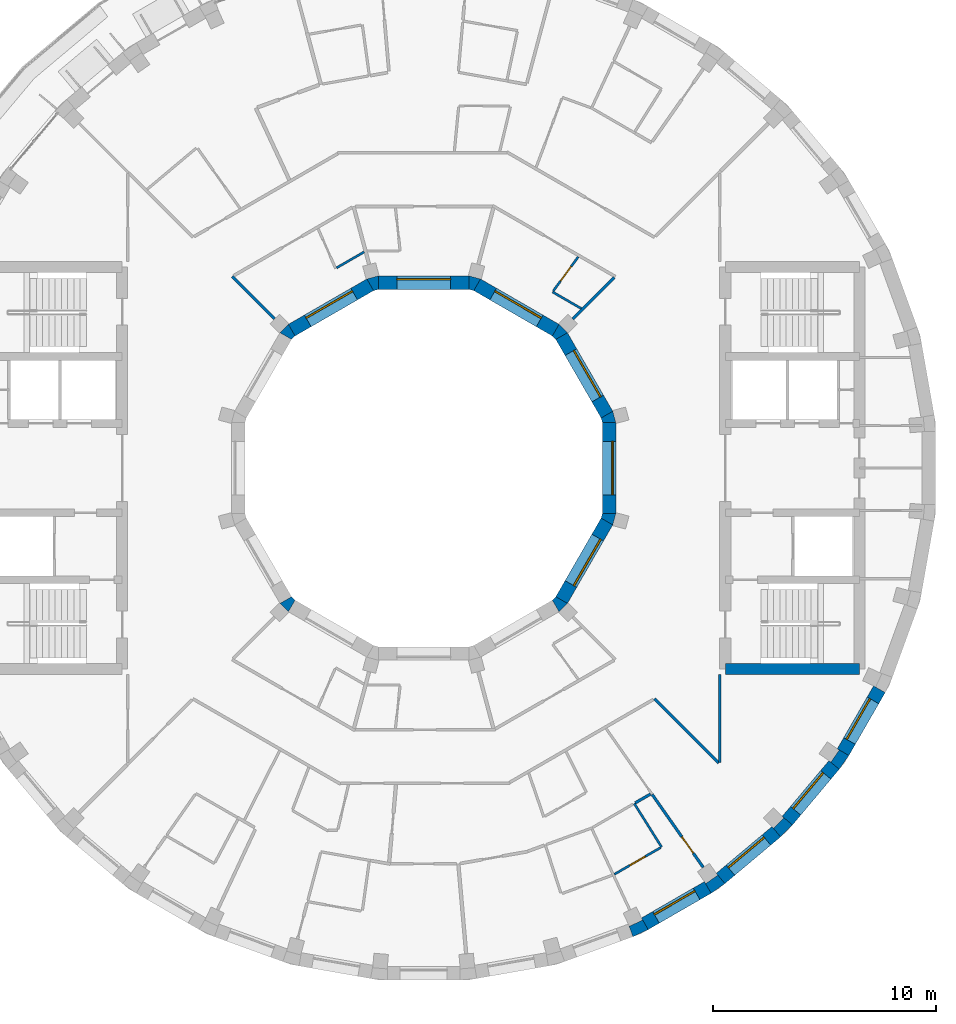
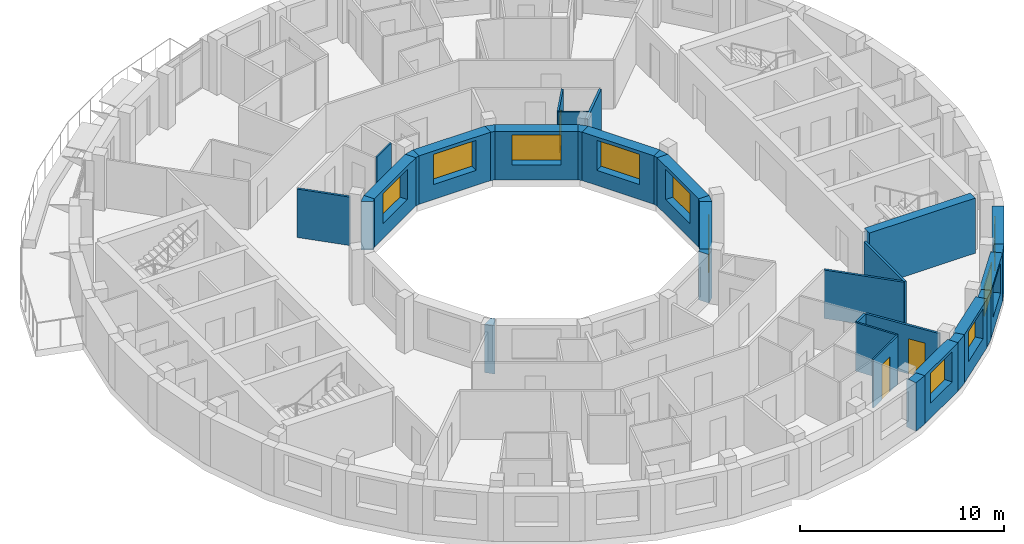
# One storey, part 7 of 12: 34 walls, 10 windows, 3 doors, 13 openings.
"""IFC4 building model written with IfcOpenShell, lengths in metres."""

from ifc_helpers import new_model, si_unit, direction, frame, frame_2d, origin, place, context, subcontext, project, spatial, polyline, rectangle, outline, extrude, material, layer, layer_set, type_object, element, fill, save


model = new_model("IFC4")

# Units and contexts
model_context = context("Model", 3, precision=1e-05, world=origin(), true_north=direction((0.0, 1.0)))
body_context = subcontext(model_context, "Body", "Model", "MODEL_VIEW")
ifc_project = project(units=[si_unit("LENGTHUNIT", "METRE"), si_unit("AREAUNIT", "SQUARE_METRE"), si_unit("VOLUMEUNIT", "CUBIC_METRE"), si_unit("PLANEANGLEUNIT", "RADIAN"), si_unit("MASSUNIT", "GRAM", prefix="KILO")], contexts=[model_context])

# Site, building, storey
site_placement = place(None, origin())
site = spatial("IfcSite", under=ifc_project, at=site_placement, CompositionType="ELEMENT")
building_placement = place(site_placement, origin())
building = spatial("IfcBuilding", under=site, at=building_placement, Name="Saqina Gate Tower", CompositionType="ELEMENT")
storey_placement = place(building_placement, frame((0.0, 0.0, 233.0)))
storey = spatial("IfcBuildingStorey", under=building, at=storey_placement, Name="L66", CompositionType="ELEMENT", Elevation=233.0)

# Walls
ifc_material_1 = material(Name="Brick masonry (buff)", Category="masonry")
wall_type_1 = type_object("IfcWallType", Name="BRICK PIER COPING BUFF", PredefinedType="SOLIDWALL", material=ifc_material_1)
wall_1_placement = place(storey_placement, origin())
element("IfcWall", 1, at=wall_1_placement, inside=storey, type_object=wall_type_1, Name="Pier cap L66 column 30", PredefinedType="SOLIDWALL", context=body_context, shape_type="SweptSolid", body=[
    extrude(outline(polyline([(9.3642578125, -20.974609375), (10.048095703125, -20.65576171875), (9.748291015625, -20.135986328125), (9.79296875, -20.23193359375), (9.203857421875, -20.506591796875), (9.1591796875, -20.410888671875), (9.3642578125, -20.974609375)])), origin(), (0.0, 0.0, 1.0), 2.89990234375),
])
wall_2_placement = place(storey_placement, origin())
element("IfcWall", 2, at=wall_2_placement, inside=storey, type_object=wall_type_1, Name="Pier cap L66 column 31", PredefinedType="SOLIDWALL", context=body_context, shape_type="SweptSolid", body=[
    extrude(outline(polyline([(12.8642578125, -19.02978515625), (13.482421875, -18.59716796875), (13.0966796875, -18.137451171875), (13.157470703125, -18.22412109375), (12.625, -18.596923828125), (12.564208984375, -18.51025390625), (12.8642578125, -19.02978515625)])), origin(), (0.0, 0.0, 1.0), 2.89990234375),
])
wall_3_placement = place(storey_placement, origin())
element("IfcWall", 3, at=wall_3_placement, inside=storey, type_object=wall_type_1, Name="Pier cap L66 column 32", PredefinedType="SOLIDWALL", context=body_context, shape_type="SweptSolid", body=[
    extrude(outline(polyline([(16.5068359375, -15.973388671875), (16.04736328125, -15.587646484375), (16.1220703125, -15.662353515625), (15.662353515625, -16.1220703125), (15.587646484375, -16.04736328125), (15.973388671875, -16.5068359375), (16.5068359375, -15.973388671875)])), origin(), (0.0, 0.0, 1.0), 2.89990234375),
])
wall_4_placement = place(storey_placement, origin())
element("IfcWall", 4, at=wall_4_placement, inside=storey, type_object=wall_type_1, Name="Pier cap L66 column 33", PredefinedType="SOLIDWALL", context=body_context, shape_type="SweptSolid", body=[
    extrude(outline(polyline([(19.02978515625, -12.8642578125), (18.51025390625, -12.564208984375), (18.596923828125, -12.625), (18.22412109375, -13.157470703125), (18.137451171875, -13.0966796875), (18.59716796875, -13.482421875), (19.02978515625, -12.8642578125)])), origin(), (0.0, 0.0, 1.0), 2.89990234375),
])

# Wall, opening, window
ifc_material_2 = material(Name="Brick masonry (buff)", Category="masonry")
ifc_layer_1 = layer(ifc_material_2, 0.60009765625)
ifc_layer_set_1 = layer_set([ifc_layer_1], Name="FW-BRICK-BUFF")
wall_type_2 = type_object("IfcWallType", Name="FW-BRICK-BUFF", PredefinedType="SOLIDWALL", material=ifc_layer_set_1)
wall_5_placement = place(storey_placement, frame((9.898193359375, -20.39599609375, 0.0), z_axis=(0.0, 0.0, 1.0), x_axis=(0.866016800201, 0.500014901547, 0.0)))
wall_5 = element("IfcWall", 5, at=wall_5_placement, inside=storey, type_object=wall_type_2, Name="Facade wall L66 facet 30", PredefinedType="SOLIDWALL", context=body_context, shape_type="SweptSolid", body=[
    extrude(rectangle(XDim=3.251953125, YDim=0.60009765625, at=frame_2d((1.6259765625, 0.0))), origin(), (0.0, 0.0, 1.0), 2.89990234375),
])
opening_1_placement = place(wall_5_placement, frame((0.57568359375, 0.0, 0.89990234375)))
opening_1 = element("IfcOpeningElement", 6, at=opening_1_placement, cuts=wall_5, Name="Opening G19-W19", PredefinedType="OPENING", context=body_context, shape_type="SweptSolid", body=[
    extrude(rectangle(XDim=2.10009765625, YDim=1.800048828125, at=frame_2d((1.050048828125, 0.89990234375))), frame((0.0, 0.31201171875, 0.0), z_axis=(0.0, -1.0, 0.0), x_axis=(1.0, 0.0, 0.0)), (0.0, 0.0, 1.0), 0.6240234375),
])
ifc_material_3 = material(Name="Aluminium glazing", Category="aluminium")
window_type_1 = type_object("IfcWindowType", Name="WN-D", PartitioningType="SINGLE_PANEL", PredefinedType="WINDOW", material=ifc_material_3)
window_1_placement = place(opening_1_placement, origin())
window_1 = element("IfcWindow", 7, at=window_1_placement, inside=storey, type_object=window_type_1, Name="Window L66 facet 30", OverallHeight=1.800048828125, OverallWidth=2.10009765625, PartitioningType="SINGLE_PANEL", PredefinedType="WINDOW", context=body_context, shape_type="SweptSolid", body=[
    extrude(rectangle(XDim=2.10009765625, YDim=1.800048828125, at=frame_2d((1.050048828125, 0.89990234375))), frame((0.0, 0.179931640625, 0.0), z_axis=(0.0, -1.0, 0.0), x_axis=(1.0, 0.0, 0.0)), (0.0, 0.0, 1.0), 0.06005859375),
])
fill(opening_1, window_1)

wall_6_placement = place(storey_placement, frame((13.28955078125, -18.3671875, 0.0), z_axis=(0.0, 0.0, 1.0), x_axis=(0.766056773982, 0.64277291405, 0.0)))
wall_6 = element("IfcWall", 8, at=wall_6_placement, inside=storey, type_object=wall_type_2, Name="Facade wall L66 facet 31", PredefinedType="SOLIDWALL", context=body_context, shape_type="SweptSolid", body=[
    extrude(rectangle(XDim=3.251708984375, YDim=0.60009765625, at=frame_2d((1.6259765625, 0.0))), origin(), (0.0, 0.0, 1.0), 2.89990234375),
])
opening_2_placement = place(wall_6_placement, frame((0.57568359375, 0.0, 0.89990234375)))
opening_2 = element("IfcOpeningElement", 9, at=opening_2_placement, cuts=wall_6, Name="Opening G19-W20", PredefinedType="OPENING", context=body_context, shape_type="SweptSolid", body=[
    extrude(rectangle(XDim=2.10009765625, YDim=1.800048828125, at=frame_2d((1.050048828125, 0.89990234375))), frame((0.0, 0.31201171875, 0.0), z_axis=(0.0, -1.0, 0.0), x_axis=(1.0, 0.0, 0.0)), (0.0, 0.0, 1.0), 0.6240234375),
])
window_2_placement = place(opening_2_placement, origin())
window_2 = element("IfcWindow", 10, at=window_2_placement, inside=storey, type_object=window_type_1, Name="Window L66 facet 31", OverallHeight=1.800048828125, OverallWidth=2.10009765625, PartitioningType="SINGLE_PANEL", PredefinedType="WINDOW", context=body_context, shape_type="SweptSolid", body=[
    extrude(rectangle(XDim=2.10009765625, YDim=1.800048828125, at=frame_2d((1.050048828125, 0.89990234375))), frame((0.0, 0.179931640625, 0.0), z_axis=(0.0, -1.0, 0.0), x_axis=(1.0, 0.0, 0.0)), (0.0, 0.0, 1.0), 0.06005859375),
])
fill(opening_2, window_2)

wall_7_placement = place(storey_placement, frame((16.277099609375, -15.780517578125, 0.0), z_axis=(0.0, 0.0, 1.0), x_axis=(0.64277291405, 0.766056773982, 0.0)))
wall_7 = element("IfcWall", 11, at=wall_7_placement, inside=storey, type_object=wall_type_2, Name="Facade wall L66 facet 32", PredefinedType="SOLIDWALL", context=body_context, shape_type="SweptSolid", body=[
    extrude(rectangle(XDim=3.251708984375, YDim=0.60009765625, at=frame_2d((1.6259765625, 0.0))), origin(), (0.0, 0.0, 1.0), 2.89990234375),
])
opening_3_placement = place(wall_7_placement, frame((0.57568359375, 0.0, 0.89990234375)))
opening_3 = element("IfcOpeningElement", 12, at=opening_3_placement, cuts=wall_7, Name="Opening G19-W21", PredefinedType="OPENING", context=body_context, shape_type="SweptSolid", body=[
    extrude(rectangle(XDim=2.10009765625, YDim=1.800048828125, at=frame_2d((1.050048828125, 0.89990234375))), frame((0.0, 0.31201171875, 0.0), z_axis=(0.0, -1.0, 0.0), x_axis=(1.0, 0.0, 0.0)), (0.0, 0.0, 1.0), 0.6240234375),
])
window_3_placement = place(opening_3_placement, origin())
window_3 = element("IfcWindow", 13, at=window_3_placement, inside=storey, type_object=window_type_1, Name="Window L66 facet 32", OverallHeight=1.800048828125, OverallWidth=2.10009765625, PartitioningType="SINGLE_PANEL", PredefinedType="WINDOW", context=body_context, shape_type="SweptSolid", body=[
    extrude(rectangle(XDim=2.10009765625, YDim=1.800048828125, at=frame_2d((1.050048828125, 0.89990234375))), frame((0.0, 0.179931640625, 0.0), z_axis=(0.0, -1.0, 0.0), x_axis=(1.0, 0.0, 0.0)), (0.0, 0.0, 1.0), 0.06005859375),
])
fill(opening_3, window_3)

wall_8_placement = place(storey_placement, frame((18.77001953125, -12.71435546875, 0.0), z_axis=(0.0, 0.0, 1.0), x_axis=(0.500014901547, 0.866016800201, 0.0)))
wall_8 = element("IfcWall", 14, at=wall_8_placement, inside=storey, type_object=wall_type_2, Name="Facade wall L66 facet 33", PredefinedType="SOLIDWALL", context=body_context, shape_type="SweptSolid", body=[
    extrude(rectangle(XDim=3.251953125, YDim=0.60009765625, at=frame_2d((1.6259765625, 0.0))), origin(), (0.0, 0.0, 1.0), 2.89990234375),
])
opening_4_placement = place(wall_8_placement, frame((0.57568359375, 0.0, 0.89990234375)))
opening_4 = element("IfcOpeningElement", 15, at=opening_4_placement, cuts=wall_8, Name="Opening G19-W22", PredefinedType="OPENING", context=body_context, shape_type="SweptSolid", body=[
    extrude(rectangle(XDim=2.10009765625, YDim=1.800048828125, at=frame_2d((1.050048828125, 0.89990234375))), frame((0.0, 0.31201171875, 0.0), z_axis=(0.0, -1.0, 0.0), x_axis=(1.0, 0.0, 0.0)), (0.0, 0.0, 1.0), 0.6240234375),
])
window_4_placement = place(opening_4_placement, origin())
window_4 = element("IfcWindow", 16, at=window_4_placement, inside=storey, type_object=window_type_1, Name="Window L66 facet 33", OverallHeight=1.800048828125, OverallWidth=2.10009765625, PartitioningType="SINGLE_PANEL", PredefinedType="WINDOW", context=body_context, shape_type="SweptSolid", body=[
    extrude(rectangle(XDim=2.10009765625, YDim=1.800048828125, at=frame_2d((1.050048828125, 0.89990234375))), frame((0.0, 0.179931640625, 0.0), z_axis=(0.0, -1.0, 0.0), x_axis=(1.0, 0.0, 0.0)), (0.0, 0.0, 1.0), 0.06005859375),
])
fill(opening_4, window_4)

ifc_material_4 = material(Name="Glazed ceramic tile", Category="ceramic")
ifc_layer_2 = layer(ifc_material_4, 0.60009765625)
ifc_layer_set_2 = layer_set([ifc_layer_2], Name="IW-TILE")
wall_type_3 = type_object("IfcWallType", Name="IW-TILE", PredefinedType="SOLIDWALL", material=ifc_layer_set_2)
wall_9_placement = place(storey_placement, frame((8.20263671875, 2.392578125, 0.0), z_axis=(0.0, 0.0, 1.0), x_axis=(-0.499994954979, 0.866028316509, 0.0)))
wall_9 = element("IfcWall", 17, at=wall_9_placement, inside=storey, type_object=wall_type_3, Name="Well wall L66 facet 1", PredefinedType="SOLIDWALL", context=body_context, shape_type="SweptSolid", body=[
    extrude(rectangle(XDim=4.05859375, YDim=0.60009765625, at=frame_2d((2.029296875, 0.0))), origin(), (0.0, 0.0, 1.0), 2.89990234375),
])
opening_5_placement = place(wall_9_placement, frame((0.829345703125, 0.0, 0.89990234375)))
opening_5 = element("IfcOpeningElement", 18, at=opening_5_placement, cuts=wall_9, Name="Opening G19-W23", PredefinedType="OPENING", context=body_context, shape_type="SweptSolid", body=[
    extrude(rectangle(XDim=2.39990234375, YDim=1.800048828125, at=frame_2d((1.199951171875, 0.89990234375))), frame((0.0, 0.31201171875, 0.0), z_axis=(0.0, -1.0, 0.0), x_axis=(1.0, 0.0, 0.0)), (0.0, 0.0, 1.0), 0.6240234375),
])
ifc_material_5 = material(Name="Aluminium glazing", Category="aluminium")
window_type_2 = type_object("IfcWindowType", Name="WN-W", PartitioningType="SINGLE_PANEL", PredefinedType="WINDOW", material=ifc_material_5)
window_5_placement = place(opening_5_placement, origin())
window_5 = element("IfcWindow", 19, at=window_5_placement, inside=storey, type_object=window_type_2, Name="Well window L66 facet 1", OverallHeight=1.800048828125, OverallWidth=2.39990234375, PartitioningType="SINGLE_PANEL", PredefinedType="WINDOW", context=body_context, shape_type="SweptSolid", body=[
    extrude(rectangle(XDim=2.39990234375, YDim=1.800048828125, at=frame_2d((1.199951171875, 0.89990234375))), frame((0.0, -0.119873046875, 0.0), z_axis=(0.0, -1.0, 0.0), x_axis=(1.0, 0.0, 0.0)), (0.0, 0.0, 1.0), 0.06005859375),
])
fill(opening_5, window_5)

wall_10_placement = place(storey_placement, frame((5.907470703125, 6.17333984375, 0.0), z_axis=(0.0, 0.0, 1.0), x_axis=(-0.866028316509, 0.499994954979, 0.0)))
wall_10 = element("IfcWall", 20, at=wall_10_placement, inside=storey, type_object=wall_type_3, Name="Well wall L66 facet 2", PredefinedType="SOLIDWALL", context=body_context, shape_type="SweptSolid", body=[
    extrude(rectangle(XDim=4.05859375, YDim=0.60009765625, at=frame_2d((2.029296875, 0.0))), origin(), (0.0, 0.0, 1.0), 2.89990234375),
])
opening_6_placement = place(wall_10_placement, frame((0.829345703125, 0.0, 0.89990234375)))
opening_6 = element("IfcOpeningElement", 21, at=opening_6_placement, cuts=wall_10, Name="Opening G19-W24", PredefinedType="OPENING", context=body_context, shape_type="SweptSolid", body=[
    extrude(rectangle(XDim=2.39990234375, YDim=1.800048828125, at=frame_2d((1.199951171875, 0.89990234375))), frame((0.0, 0.31201171875, 0.0), z_axis=(0.0, -1.0, 0.0), x_axis=(1.0, 0.0, 0.0)), (0.0, 0.0, 1.0), 0.6240234375),
])
window_6_placement = place(opening_6_placement, origin())
window_6 = element("IfcWindow", 22, at=window_6_placement, inside=storey, type_object=window_type_2, Name="Well window L66 facet 2", OverallHeight=1.800048828125, OverallWidth=2.39990234375, PartitioningType="SINGLE_PANEL", PredefinedType="WINDOW", context=body_context, shape_type="SweptSolid", body=[
    extrude(rectangle(XDim=2.39990234375, YDim=1.800048828125, at=frame_2d((1.199951171875, 0.89990234375))), frame((0.0, -0.119873046875, 0.0), z_axis=(0.0, -1.0, 0.0), x_axis=(1.0, 0.0, 0.0)), (0.0, 0.0, 1.0), 0.06005859375),
])
fill(opening_6, window_6)

wall_11_placement = place(storey_placement, frame((2.029296875, 8.300048828125, 0.0), z_axis=(0.0, 0.0, 1.0), x_axis=(-1.0, 0.0, 0.0)))
wall_11 = element("IfcWall", 23, at=wall_11_placement, inside=storey, type_object=wall_type_3, Name="Well wall L66 facet 3", PredefinedType="SOLIDWALL", context=body_context, shape_type="SweptSolid", body=[
    extrude(rectangle(XDim=4.05859375, YDim=0.60009765625, at=frame_2d((2.029296875, 0.0))), origin(), (0.0, 0.0, 1.0), 2.89990234375),
])
opening_7_placement = place(wall_11_placement, frame((0.829345703125, 0.0, 0.89990234375)))
opening_7 = element("IfcOpeningElement", 24, at=opening_7_placement, cuts=wall_11, Name="Opening G19-W25", PredefinedType="OPENING", context=body_context, shape_type="SweptSolid", body=[
    extrude(rectangle(XDim=2.39990234375, YDim=1.800048828125, at=frame_2d((1.199951171875, 0.89990234375))), frame((0.0, 0.31201171875, 0.0), z_axis=(0.0, -1.0, 0.0), x_axis=(1.0, 0.0, 0.0)), (0.0, 0.0, 1.0), 0.6240234375),
])
window_7_placement = place(opening_7_placement, origin())
window_7 = element("IfcWindow", 25, at=window_7_placement, inside=storey, type_object=window_type_2, Name="Well window L66 facet 3", OverallHeight=1.800048828125, OverallWidth=2.39990234375, PartitioningType="SINGLE_PANEL", PredefinedType="WINDOW", context=body_context, shape_type="SweptSolid", body=[
    extrude(rectangle(XDim=2.39990234375, YDim=1.800048828125, at=frame_2d((1.199951171875, 0.89990234375))), frame((0.0, -0.119873046875, 0.0), z_axis=(0.0, -1.0, 0.0), x_axis=(1.0, 0.0, 0.0)), (0.0, 0.0, 1.0), 0.06005859375),
])
fill(opening_7, window_7)

wall_12_placement = place(storey_placement, frame((-2.392578125, 8.20263671875, 0.0), z_axis=(0.0, 0.0, 1.0), x_axis=(-0.866028316509, -0.499994954979, 0.0)))
wall_12 = element("IfcWall", 26, at=wall_12_placement, inside=storey, type_object=wall_type_3, Name="Well wall L66 facet 4", PredefinedType="SOLIDWALL", context=body_context, shape_type="SweptSolid", body=[
    extrude(rectangle(XDim=4.05859375, YDim=0.60009765625, at=frame_2d((2.029296875, 0.0))), origin(), (0.0, 0.0, 1.0), 2.89990234375),
])
opening_8_placement = place(wall_12_placement, frame((0.829345703125, 0.0, 0.89990234375)))
opening_8 = element("IfcOpeningElement", 27, at=opening_8_placement, cuts=wall_12, Name="Opening G19-W26", PredefinedType="OPENING", context=body_context, shape_type="SweptSolid", body=[
    extrude(rectangle(XDim=2.39990234375, YDim=1.800048828125, at=frame_2d((1.199951171875, 0.89990234375))), frame((0.0, 0.31201171875, 0.0), z_axis=(0.0, -1.0, 0.0), x_axis=(1.0, 0.0, 0.0)), (0.0, 0.0, 1.0), 0.6240234375),
])
window_8_placement = place(opening_8_placement, origin())
window_8 = element("IfcWindow", 28, at=window_8_placement, inside=storey, type_object=window_type_2, Name="Well window L66 facet 4", OverallHeight=1.800048828125, OverallWidth=2.39990234375, PartitioningType="SINGLE_PANEL", PredefinedType="WINDOW", context=body_context, shape_type="SweptSolid", body=[
    extrude(rectangle(XDim=2.39990234375, YDim=1.800048828125, at=frame_2d((1.199951171875, 0.89990234375))), frame((0.0, -0.119873046875, 0.0), z_axis=(0.0, -1.0, 0.0), x_axis=(1.0, 0.0, 0.0)), (0.0, 0.0, 1.0), 0.06005859375),
])
fill(opening_8, window_8)

wall_13_placement = place(storey_placement, frame((6.17333984375, -5.907470703125, 0.0), z_axis=(0.0, 0.0, 1.0), x_axis=(0.499994954979, 0.866028316509, 0.0)))
wall_13 = element("IfcWall", 29, at=wall_13_placement, inside=storey, type_object=wall_type_3, Name="Well wall L66 facet 11", PredefinedType="SOLIDWALL", context=body_context, shape_type="SweptSolid", body=[
    extrude(rectangle(XDim=4.05859375, YDim=0.60009765625, at=frame_2d((2.029296875, 0.0))), origin(), (0.0, 0.0, 1.0), 2.89990234375),
])
opening_9_placement = place(wall_13_placement, frame((0.829345703125, 0.0, 0.89990234375)))
opening_9 = element("IfcOpeningElement", 30, at=opening_9_placement, cuts=wall_13, Name="Opening G19-W33", PredefinedType="OPENING", context=body_context, shape_type="SweptSolid", body=[
    extrude(rectangle(XDim=2.39990234375, YDim=1.800048828125, at=frame_2d((1.199951171875, 0.89990234375))), frame((0.0, 0.31201171875, 0.0), z_axis=(0.0, -1.0, 0.0), x_axis=(1.0, 0.0, 0.0)), (0.0, 0.0, 1.0), 0.6240234375),
])
window_9_placement = place(opening_9_placement, origin())
window_9 = element("IfcWindow", 31, at=window_9_placement, inside=storey, type_object=window_type_2, Name="Well window L66 facet 11", OverallHeight=1.800048828125, OverallWidth=2.39990234375, PartitioningType="SINGLE_PANEL", PredefinedType="WINDOW", context=body_context, shape_type="SweptSolid", body=[
    extrude(rectangle(XDim=2.39990234375, YDim=1.800048828125, at=frame_2d((1.199951171875, 0.89990234375))), frame((0.0, -0.119873046875, 0.0), z_axis=(0.0, -1.0, 0.0), x_axis=(1.0, 0.0, 0.0)), (0.0, 0.0, 1.0), 0.06005859375),
])
fill(opening_9, window_9)

wall_14_placement = place(storey_placement, frame((8.300048828125, -2.029296875, 0.0), z_axis=(0.0, 0.0, 1.0), x_axis=(0.0, 1.0, 0.0)))
wall_14 = element("IfcWall", 32, at=wall_14_placement, inside=storey, type_object=wall_type_3, Name="Well wall L66 facet 12", PredefinedType="SOLIDWALL", context=body_context, shape_type="SweptSolid", body=[
    extrude(rectangle(XDim=4.05859375, YDim=0.60009765625, at=frame_2d((2.029296875, 0.0))), origin(), (0.0, 0.0, 1.0), 2.89990234375),
])
opening_10_placement = place(wall_14_placement, frame((0.829345703125, 0.0, 0.89990234375)))
opening_10 = element("IfcOpeningElement", 33, at=opening_10_placement, cuts=wall_14, Name="Opening G19-W34", PredefinedType="OPENING", context=body_context, shape_type="SweptSolid", body=[
    extrude(rectangle(XDim=2.39990234375, YDim=1.800048828125, at=frame_2d((1.199951171875, 0.89990234375))), frame((0.0, 0.31201171875, 0.0), z_axis=(0.0, -1.0, 0.0), x_axis=(1.0, 0.0, 0.0)), (0.0, 0.0, 1.0), 0.6240234375),
])
window_10_placement = place(opening_10_placement, origin())
window_10 = element("IfcWindow", 34, at=window_10_placement, inside=storey, type_object=window_type_2, Name="Well window L66 facet 12", OverallHeight=1.800048828125, OverallWidth=2.39990234375, PartitioningType="SINGLE_PANEL", PredefinedType="WINDOW", context=body_context, shape_type="SweptSolid", body=[
    extrude(rectangle(XDim=2.39990234375, YDim=1.800048828125, at=frame_2d((1.199951171875, 0.89990234375))), frame((0.0, -0.119873046875, 0.0), z_axis=(0.0, -1.0, 0.0), x_axis=(1.0, 0.0, 0.0)), (0.0, 0.0, 1.0), 0.06005859375),
])
fill(opening_10, window_10)

# Walls
ifc_material_6 = material(Name="Gypsum board on steel studs, 100 mm", Category="steel")
ifc_layer_3 = layer(ifc_material_6, 0.10009765625)
ifc_layer_set_3 = layer_set([ifc_layer_3], Name="PARTITION 100")
wall_type_4 = type_object("IfcWallType", Name="PARTITION 100", PredefinedType="PARTITIONING", material=ifc_layer_set_3)
wall_15_placement = place(storey_placement, frame((9.423095703125, -15.011962890625, 0.0), z_axis=(0.0, 0.0, 1.0), x_axis=(0.531608930636, -0.846989931975, 0.0)))
element("IfcWall", 35, at=wall_15_placement, inside=storey, type_object=wall_type_4, Name="PARTITION PW3-08", PredefinedType="PARTITIONING", context=body_context, shape_type="SweptSolid", body=[
    extrude(rectangle(XDim=2.30224609375, YDim=0.10009765625, at=frame_2d((1.151123046875, 0.0))), origin(), (0.0, 0.0, 1.0), 2.89990234375),
])
wall_16_placement = place(storey_placement, frame((5.76708984375, 7.882080078125, 0.0), z_axis=(0.0, 0.0, 1.0), x_axis=(0.866040576453, -0.499973719246, 0.0)))
element("IfcWall", 36, at=wall_16_placement, inside=storey, type_object=wall_type_4, Name="PARTITION PW3-17", PredefinedType="PARTITIONING", context=body_context, shape_type="SweptSolid", body=[
    extrude(rectangle(XDim=1.48583984375, YDim=0.10009765625, at=frame_2d((0.742919921875, 0.0))), origin(), (0.0, 0.0, 1.0), 2.89990234375),
])

# Wall, opening, door
wall_17_placement = place(storey_placement, frame((8.533203125, -18.181884765625, 0.0), z_axis=(0.0, 0.0, 1.0), x_axis=(0.866136275394, 0.49980791555, 0.0)))
wall_17 = element("IfcWall", 37, at=wall_17_placement, inside=storey, type_object=wall_type_4, Name="PARTITION PW3-33", PredefinedType="PARTITIONING", context=body_context, shape_type="SweptSolid", body=[
    extrude(rectangle(XDim=2.390625, YDim=0.10009765625, at=frame_2d((1.1953125, 0.0))), origin(), (0.0, 0.0, 1.0), 2.89990234375),
])
opening_11_placement = place(wall_17_placement, frame((0.79541015625, 0.0, 0.0)))
opening_11 = element("IfcOpeningElement", 38, at=opening_11_placement, cuts=wall_17, Name="Opening G19-D40", PredefinedType="OPENING", context=body_context, shape_type="SweptSolid", body=[
    extrude(rectangle(XDim=0.800048828125, YDim=2.10009765625, at=frame_2d((0.39990234375, 1.050048828125))), frame((0.0, 0.06201171875, 0.0), z_axis=(0.0, -1.0, 0.0), x_axis=(1.0, 0.0, 0.0)), (0.0, 0.0, 1.0), 0.1240234375),
])
ifc_material_7 = material(Name="Timber door leaf, 800 mm", Category="wood")
door_type_1 = type_object("IfcDoorType", Name="DOOR 800 TIMBER", OperationType="SINGLE_SWING_LEFT", PredefinedType="DOOR", material=ifc_material_7)
door_1_placement = place(opening_11_placement, frame((0.800048828125, 0.0, 0.0), z_axis=(0.0, 0.0, 1.0), x_axis=(-1.0, 0.0, 0.0)))
door_1 = element("IfcDoor", 39, at=door_1_placement, inside=storey, type_object=door_type_1, Name="DOOR G19-D40", OperationType="SINGLE_SWING_LEFT", OverallHeight=2.10009765625, OverallWidth=0.800048828125, PredefinedType="DOOR", context=body_context, shape_type="SweptSolid", body=[
    extrude(rectangle(XDim=0.800048828125, YDim=2.10009765625, at=frame_2d((0.39990234375, 1.050048828125))), frame((0.0, 0.02490234375, 0.0), z_axis=(0.0, -1.0, 0.0), x_axis=(1.0, 0.0, 0.0)), (0.0, 0.0, 1.0), 0.050048828125),
])
fill(opening_11, door_1)

# Wall
wall_18_placement = place(storey_placement, frame((-3.899658203125, 8.9609375, 0.0), z_axis=(0.0, 0.0, 1.0), x_axis=(0.866028486751, 0.499994660107, 0.0)))
element("IfcWall", 40, at=wall_18_placement, inside=storey, type_object=wall_type_4, Name="PARTITION PW3-37", PredefinedType="PARTITIONING", context=body_context, shape_type="SweptSolid", body=[
    extrude(rectangle(XDim=1.42333984375, YDim=0.10009765625, at=frame_2d((0.711669921875, 0.0))), origin(), (0.0, 0.0, 1.0), 2.89990234375),
])

# Wall, opening, door
wall_19_placement = place(storey_placement, frame((5.796630859375, 7.92236328125, 0.0), z_axis=(0.0, 0.0, 1.0), x_axis=(0.59039359818, 0.807115480726, 0.0)))
wall_19 = element("IfcWall", 41, at=wall_19_placement, inside=storey, type_object=wall_type_4, Name="PARTITION PW3-39", PredefinedType="PARTITIONING", context=body_context, shape_type="SweptSolid", body=[
    extrude(rectangle(XDim=1.8994140625, YDim=0.10009765625, at=frame_2d((0.94970703125, 0.0))), origin(), (0.0, 0.0, 1.0), 2.89990234375),
])
opening_12_placement = place(wall_19_placement, frame((0.55615234375, 0.0, 0.0)))
opening_12 = element("IfcOpeningElement", 42, at=opening_12_placement, cuts=wall_19, Name="Opening G19-D02", PredefinedType="OPENING", context=body_context, shape_type="SweptSolid", body=[
    extrude(rectangle(XDim=0.800048828125, YDim=2.10009765625, at=frame_2d((0.39990234375, 1.050048828125))), frame((0.0, 0.06201171875, 0.0), z_axis=(0.0, -1.0, 0.0), x_axis=(1.0, 0.0, 0.0)), (0.0, 0.0, 1.0), 0.1240234375),
])
door_2_placement = place(opening_12_placement, origin())
door_2 = element("IfcDoor", 43, at=door_2_placement, inside=storey, type_object=door_type_1, Name="DOOR G19-D02", OperationType="SINGLE_SWING_RIGHT", OverallHeight=2.10009765625, OverallWidth=0.800048828125, PredefinedType="DOOR", context=body_context, shape_type="SweptSolid", body=[
    extrude(rectangle(XDim=0.800048828125, YDim=2.10009765625, at=frame_2d((0.39990234375, 1.050048828125))), frame((0.0, 0.02490234375, 0.0), z_axis=(0.0, -1.0, 0.0), x_axis=(1.0, 0.0, 0.0)), (0.0, 0.0, 1.0), 0.050048828125),
])
fill(opening_12, door_2)

ifc_material_8 = material(Name="Gypsum board on steel studs, 125 mm, fire rated", Category="steel")
ifc_layer_4 = layer(ifc_material_8, 0.125)
ifc_layer_set_4 = layer_set([ifc_layer_4], Name="PARTITION EI 30 125")
wall_type_5 = type_object("IfcWallType", Name="PARTITION EI 30 125", PredefinedType="PARTITIONING", material=ifc_layer_set_4)
wall_20_placement = place(storey_placement, frame((10.224853515625, -14.607177734375, 0.0), z_axis=(0.0, 0.0, 1.0), x_axis=(0.573696694948, -0.819067825156, 0.0)))
wall_20 = element("IfcWall", 44, at=wall_20_placement, inside=storey, type_object=wall_type_5, Name="PARTITION PW1-03", PredefinedType="PARTITIONING", context=body_context, shape_type="SweptSolid", body=[
    extrude(rectangle(XDim=3.98486328125, YDim=0.125, at=frame_2d((1.992431640625, 0.0))), origin(), (0.0, 0.0, 1.0), 2.89990234375),
])
opening_13_placement = place(wall_20_placement, frame((2.308837890625, 0.0, 0.0)))
opening_13 = element("IfcOpeningElement", 45, at=opening_13_placement, cuts=wall_20, Name="Opening G19-D43", PredefinedType="OPENING", context=body_context, shape_type="SweptSolid", body=[
    extrude(rectangle(XDim=0.89990234375, YDim=2.10009765625, at=frame_2d((0.449951171875, 1.050048828125))), frame((0.0, 0.074462890625, 0.0), z_axis=(0.0, -1.0, 0.0), x_axis=(1.0, 0.0, 0.0)), (0.0, 0.0, 1.0), 0.14892578125),
])
ifc_material_9 = material(Name="Fire door leaf EI 30, 900 mm")
door_type_2 = type_object("IfcDoorType", Name="DOOR 900 EI 30", OperationType="SINGLE_SWING_LEFT", PredefinedType="DOOR", material=ifc_material_9)
door_3_placement = place(opening_13_placement, origin())
door_3 = element("IfcDoor", 46, at=door_3_placement, inside=storey, type_object=door_type_2, Name="DOOR G19-D43", OperationType="SINGLE_SWING_RIGHT", OverallHeight=2.10009765625, OverallWidth=0.89990234375, PredefinedType="DOOR", context=body_context, shape_type="SweptSolid", body=[
    extrude(rectangle(XDim=0.89990234375, YDim=2.10009765625, at=frame_2d((0.449951171875, 1.050048828125))), frame((0.0, 0.02490234375, 0.0), z_axis=(0.0, -1.0, 0.0), x_axis=(1.0, 0.0, 0.0)), (0.0, 0.0, 1.0), 0.050048828125),
])
fill(opening_13, door_3)

# Walls
wall_21_placement = place(storey_placement, frame((-8.572021484375, 8.572021484375, 0.0), z_axis=(0.0, 0.0, 1.0), x_axis=(0.707106781187, -0.707106781187, 0.0)))
element("IfcWall", 47, at=wall_21_placement, inside=storey, type_object=wall_type_5, Name="PARTITION PW1-05", PredefinedType="PARTITIONING", context=body_context, shape_type="SweptSolid", body=[
    extrude(rectangle(XDim=2.680419921875, YDim=0.125, at=frame_2d((1.34033203125, 0.0))), origin(), (0.0, 0.0, 1.0), 2.89990234375),
])
wall_22_placement = place(storey_placement, frame((10.330078125, -10.327880859375, 0.0), z_axis=(0.0, 0.0, 1.0), x_axis=(0.707076776443, -0.707136784657, 0.0)))
element("IfcWall", 48, at=wall_22_placement, inside=storey, type_object=wall_type_5, Name="PARTITION PW1-07", PredefinedType="PARTITIONING", context=body_context, shape_type="SweptSolid", body=[
    extrude(rectangle(XDim=4.068359375, YDim=0.125, at=frame_2d((2.0341796875, 0.0))), origin(), (0.0, 0.0, 1.0), 2.89990234375),
])
wall_23_placement = place(storey_placement, frame((9.4658203125, -14.986328125, 0.0), z_axis=(0.0, 0.0, 1.0), x_axis=(0.866569975824, 0.499055585082, 0.0)))
element("IfcWall", 49, at=wall_23_placement, inside=storey, type_object=wall_type_5, Name="PARTITION PW1-24", PredefinedType="PARTITIONING", context=body_context, shape_type="SweptSolid", body=[
    extrude(rectangle(XDim=0.79248046875, YDim=0.125, at=frame_2d((0.396240234375, 0.0))), origin(), (0.0, 0.0, 1.0), 2.89990234375),
])
wall_24_placement = place(storey_placement, frame((6.6767578125, 6.6767578125, 0.0), z_axis=(0.0, 0.0, 1.0), x_axis=(0.707106781187, 0.707106781187, 0.0)))
element("IfcWall", 50, at=wall_24_placement, inside=storey, type_object=wall_type_5, Name="PARTITION PW1-31", PredefinedType="PARTITIONING", context=body_context, shape_type="SweptSolid", body=[
    extrude(rectangle(XDim=2.617919921875, YDim=0.125, at=frame_2d((1.30908203125, 0.0))), origin(), (0.0, 0.0, 1.0), 2.89990234375),
])
wall_25_placement = place(storey_placement, frame((13.25, -13.1875, 0.0), z_axis=(0.0, 0.0, 1.0), x_axis=(0.0, 1.0, 0.0)))
element("IfcWall", 51, at=wall_25_placement, inside=storey, type_object=wall_type_5, Name="PARTITION PW1-40", PredefinedType="PARTITIONING", context=body_context, shape_type="SweptSolid", body=[
    extrude(rectangle(XDim=3.9375, YDim=0.125, at=frame_2d((1.96875, 0.0))), origin(), (0.0, 0.0, 1.0), 2.89990234375),
])
ifc_material_10 = material(Name="Concrete C60/75", Category="concrete")
ifc_layer_5 = layer(ifc_material_10, 0.5)
ifc_layer_set_5 = layer_set([ifc_layer_5], Name="Concrete C60/75")
wall_type_6 = type_object("IfcWallType", Name="STR-CORE WALL-D-O", PredefinedType="SHEAR", material=ifc_layer_set_5)
wall_26_placement = place(storey_placement, frame((13.5, -9.0, 0.0), z_axis=(0.0, 0.0, 1.0), x_axis=(1.0, 0.0, 0.0)))
element("IfcWall", 52, at=wall_26_placement, inside=storey, type_object=wall_type_6, Name="CORE WALL L66 E-SE", PredefinedType="SHEAR", context=body_context, shape_type="SweptSolid", body=[
    extrude(rectangle(XDim=6.0, YDim=0.5, at=frame_2d((3.0, 0.0))), origin(), (0.0, 0.0, 1.0), 3.300048828125),
])
ifc_material_11 = material(Name="Glazed ceramic tile", Category="ceramic")
wall_type_7 = type_object("IfcWallType", Name="TILE PIER COPING", PredefinedType="SOLIDWALL", material=ifc_material_11)
wall_27_placement = place(storey_placement, origin())
element("IfcWall", 53, at=wall_27_placement, inside=storey, type_object=wall_type_7, Name="Well pier cap L66 column 1", PredefinedType="SOLIDWALL", context=body_context, shape_type="SweptSolid", body=[
    extrude(outline(polyline([(8.46240234375, 2.54248046875), (7.94287109375, 2.242431640625), (8.0, 2.029296875), (8.60009765625, 2.029296875), (8.46240234375, 2.54248046875)])), origin(), (0.0, 0.0, 1.0), 2.89990234375),
])
wall_28_placement = place(storey_placement, origin())
element("IfcWall", 54, at=wall_28_placement, inside=storey, type_object=wall_type_7, Name="Well pier cap L66 column 2", PredefinedType="SOLIDWALL", context=body_context, shape_type="SweptSolid", body=[
    extrude(outline(polyline([(6.0576171875, 6.43310546875), (5.757568359375, 5.91357421875), (5.91357421875, 5.757568359375), (6.43310546875, 6.0576171875), (6.0576171875, 6.43310546875)])), origin(), (0.0, 0.0, 1.0), 2.89990234375),
])
wall_29_placement = place(storey_placement, origin())
element("IfcWall", 55, at=wall_29_placement, inside=storey, type_object=wall_type_7, Name="Well pier cap L66 column 3", PredefinedType="SOLIDWALL", context=body_context, shape_type="SweptSolid", body=[
    extrude(outline(polyline([(2.029296875, 8.60009765625), (2.029296875, 8.0), (2.242431640625, 7.94287109375), (2.54248046875, 8.46240234375), (2.029296875, 8.60009765625)])), origin(), (0.0, 0.0, 1.0), 2.89990234375),
])
wall_30_placement = place(storey_placement, origin())
element("IfcWall", 56, at=wall_30_placement, inside=storey, type_object=wall_type_7, Name="Well pier cap L66 column 4", PredefinedType="SOLIDWALL", context=body_context, shape_type="SweptSolid", body=[
    extrude(outline(polyline([(-2.54248046875, 8.46240234375), (-2.242431640625, 7.94287109375), (-2.029296875, 8.0), (-2.029296875, 8.60009765625), (-2.54248046875, 8.46240234375)])), origin(), (0.0, 0.0, 1.0), 2.89990234375),
])
wall_31_placement = place(storey_placement, origin())
element("IfcWall", 57, at=wall_31_placement, inside=storey, type_object=wall_type_7, Name="Well pier cap L66 column 5", PredefinedType="SOLIDWALL", context=body_context, shape_type="SweptSolid", body=[
    extrude(outline(polyline([(-6.43310546875, 6.0576171875), (-5.91357421875, 5.757568359375), (-5.757568359375, 5.91357421875), (-6.0576171875, 6.43310546875), (-6.43310546875, 6.0576171875)])), origin(), (0.0, 0.0, 1.0), 2.89990234375),
])
wall_32_placement = place(storey_placement, origin())
element("IfcWall", 58, at=wall_32_placement, inside=storey, type_object=wall_type_7, Name="Well pier cap L66 column 8", PredefinedType="SOLIDWALL", context=body_context, shape_type="SweptSolid", body=[
    extrude(outline(polyline([(-6.0576171875, -6.43310546875), (-5.757568359375, -5.91357421875), (-5.91357421875, -5.757568359375), (-6.43310546875, -6.0576171875), (-6.0576171875, -6.43310546875)])), origin(), (0.0, 0.0, 1.0), 2.89990234375),
])
wall_33_placement = place(storey_placement, origin())
element("IfcWall", 59, at=wall_33_placement, inside=storey, type_object=wall_type_7, Name="Well pier cap L66 column 11", PredefinedType="SOLIDWALL", context=body_context, shape_type="SweptSolid", body=[
    extrude(outline(polyline([(6.43310546875, -6.0576171875), (5.91357421875, -5.757568359375), (5.757568359375, -5.91357421875), (6.0576171875, -6.43310546875), (6.43310546875, -6.0576171875)])), origin(), (0.0, 0.0, 1.0), 2.89990234375),
])
wall_34_placement = place(storey_placement, origin())
element("IfcWall", 60, at=wall_34_placement, inside=storey, type_object=wall_type_7, Name="Well pier cap L66 column 12", PredefinedType="SOLIDWALL", context=body_context, shape_type="SweptSolid", body=[
    extrude(outline(polyline([(8.60009765625, -2.029296875), (8.0, -2.029296875), (7.94287109375, -2.242431640625), (8.46240234375, -2.54248046875), (8.60009765625, -2.029296875)])), origin(), (0.0, 0.0, 1.0), 2.89990234375),
])

save(model, "model.ifc")
